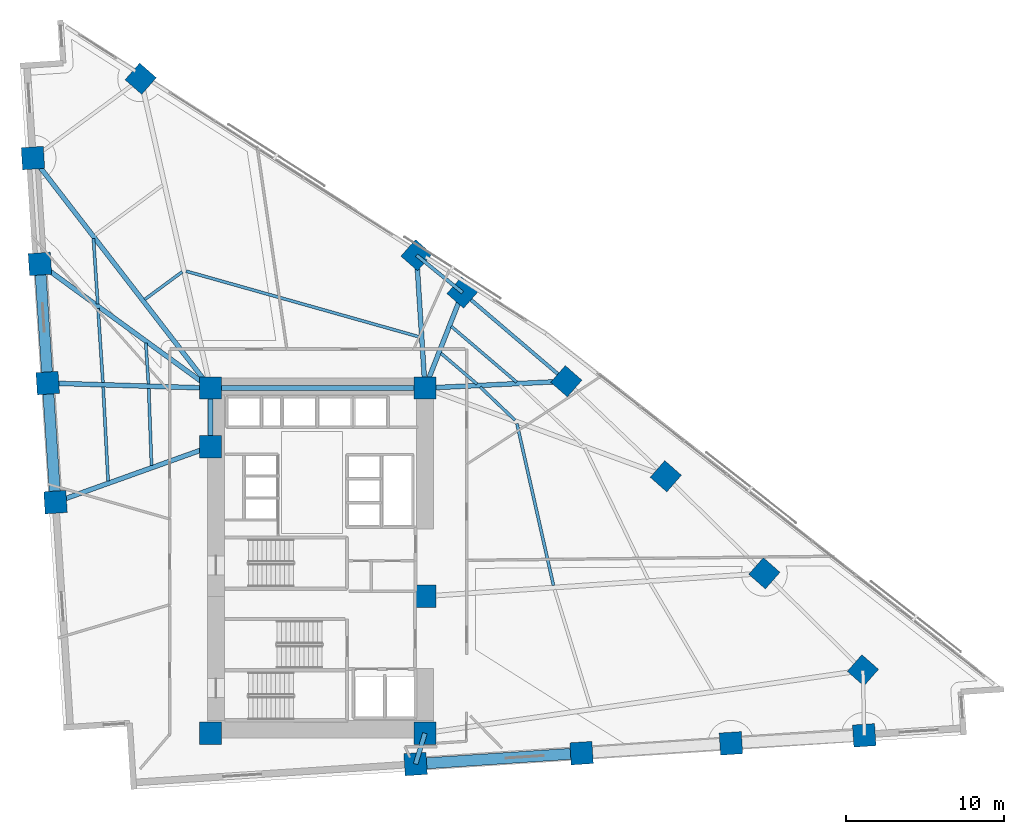
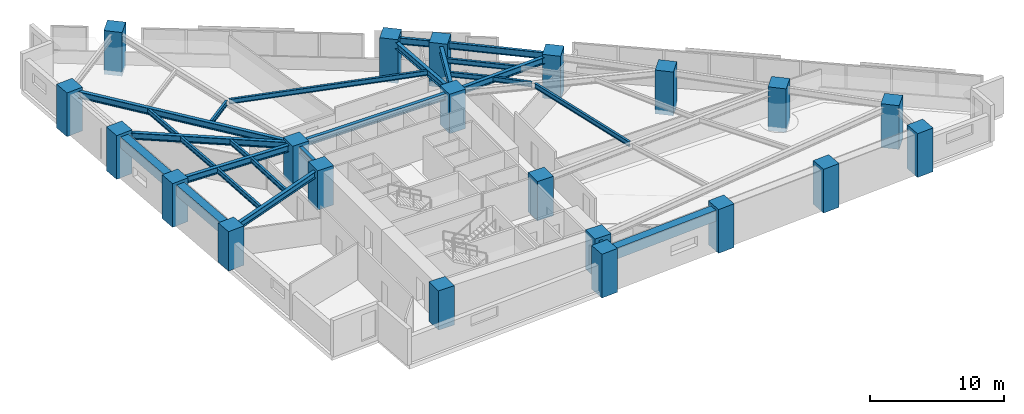
# One storey, part 1 of 17: 26 beams, 21 columns.
"""IFC4 building model written with IfcOpenShell, lengths in metres."""

from ifc_helpers import new_model, si_unit, direction, frame, origin, origin_2d, place, context, subcontext, project, spatial, rectangle, i_section, extrude, material, material_profile, profile_set, type_object, element, save


model = new_model("IFC4")

# Units and contexts
model_context = context("Model", 3, precision=1e-05, world=origin(), true_north=direction((0.0, 1.0)))
body_context = subcontext(model_context, "Body", "Model", "MODEL_VIEW")
ifc_project = project(units=[si_unit("LENGTHUNIT", "METRE"), si_unit("AREAUNIT", "SQUARE_METRE"), si_unit("VOLUMEUNIT", "CUBIC_METRE"), si_unit("PLANEANGLEUNIT", "RADIAN"), si_unit("MASSUNIT", "GRAM", prefix="KILO")], contexts=[model_context])

# Site, building, storey
site_placement = place(None, origin())
site = spatial("IfcSite", under=ifc_project, at=site_placement, CompositionType="ELEMENT")
building_placement = place(site_placement, origin())
building = spatial("IfcBuilding", under=site, at=building_placement, Name="Narakoshi Arena Tower", CompositionType="ELEMENT")
storey_placement = place(building_placement, frame((0.0, 0.0, 63.300048828125)))
storey = spatial("IfcBuildingStorey", under=building, at=storey_placement, Name="L16", CompositionType="ELEMENT", Elevation=63.300048828125)

# Columns
ifc_material_1 = material(Name="Concrete C60/75", Category="concrete")
ifc_material_profile_1 = material_profile(ifc_material_1, rectangle(XDim=1.39990234375, YDim=1.39990234375, at=origin_2d()), Name="RC1400x1400")
ifc_profile_set_1 = profile_set([ifc_material_profile_1], Name="Concrete C60/75")
column_type = type_object("IfcColumnType", Name="COL-RC1400", PredefinedType="COLUMN", material=ifc_profile_set_1)
for number, where, z_axis, x_axis, name in (
    (1, (72.0, 34.699951171875, 0.0), (0.0, 0.0, 1.0), (1.0, 0.0, 0.0), "L16 Core Structural Column CC1"),
    (2, (85.550048828125, 34.699951171875, 0.0), (0.0, 0.0, 1.0), (1.0, 0.0, 0.0), "L16 Core Structural Column CC2"),
    (3, (85.550048828125, 43.35009765625, 0.0), (0.0, 0.0, 1.0), (1.0, 0.0, 0.0), "L16 Core Structural Column CC3"),
    (4, (72.0, 52.800048828125, 0.0), (0.0, 0.0, 1.0), (1.0, 0.0, 0.0), "L16 Core Structural Column CC4"),
    (5, (72.0, 56.5, 0.0), (0.0, 0.0, 1.0), (1.0, 0.0, 0.0), "L16 Core Structural Column CC5"),
    (6, (85.550048828125, 56.5, 0.0), (0.0, 0.0, 1.0), (1.0, 0.0, 0.0), "L16 Core Structural Column CC6"),
):
    element("IfcColumn", number, at=place(storey_placement, frame(where, z_axis=z_axis, x_axis=x_axis)), inside=storey, type_object=column_type, Name=name, PredefinedType="COLUMN", context=body_context, shape_type="SweptSolid", body=[
        extrude(rectangle(XDim=1.39990234375, YDim=1.39990234375, at=origin_2d()), origin(), (0.0, 0.0, 1.0), 3.599853515625),
    ])
for number, where, z_axis, x_axis, name in (
    (7, (84.95703125, 32.7509765625, -0.400146484375), (0.0, 0.0, 1.0), (0.997858923239, 0.06540312923, 0.0), "L16 Tower Perimeter Column TC01"),
    (8, (95.44189453125, 33.43798828125, -0.400146484375), (0.0, 0.0, 1.0), (0.997858923239, 0.06540312923, 0.0), "L16 Tower Perimeter Column TC02"),
    (9, (104.8779296875, 34.056640625, -0.400146484375), (0.0, 0.0, 1.0), (0.997858923239, 0.06540312923, 0.0), "L16 Tower Perimeter Column TC03"),
    (10, (113.299560546875, 34.5634765625, -0.400146484375), (0.0, 0.0, 1.0), (0.997858923239, 0.06540312923, 0.0), "L16 Tower Perimeter Column TC04"),
    (11, (113.21630859375, 38.669189453125, -0.400146484375), (0.0, 0.0, 1.0), (0.6593458151, 0.751839807479, 0.0), "L16 Tower Perimeter Column TC05"),
    (12, (106.989990234375, 44.800537109375, -0.400146484375), (0.0, 0.0, 1.0), (0.6593458151, 0.751839807479, 0.0), "L16 Tower Perimeter Column TC06"),
    (13, (100.76318359375, 50.931640625, -0.400146484375), (0.0, 0.0, 1.0), (0.6593458151, 0.751839807479, 0.0), "L16 Tower Perimeter Column TC07"),
    (14, (94.47900390625, 56.934814453125, -0.400146484375), (0.0, 0.0, 1.0), (0.6593458151, 0.751839807479, 0.0), "L16 Tower Perimeter Column TC08"),
    (15, (87.922607421875, 62.534423828125, -0.400146484375), (0.0, 0.0, 1.0), (0.6593458151, 0.751839807479, 0.0), "L16 Tower Perimeter Column TC09"),
    (16, (85.0146484375, 64.89794921875, -0.400146484375), (0.0, 0.0, 1.0), (0.6593458151, 0.751839807479, 0.0), "L16 Tower Perimeter Column TC10"),
    (17, (67.58984375, 76.04345703125, -0.400146484375), (0.0, 0.0, 1.0), (0.6593458151, 0.751839807479, 0.0), "L16 Tower Perimeter Column TC11"),
    (18, (60.785400390625, 71.031005859375, -0.400146484375), (0.0, 0.0, 1.0), (-0.06540312923, 0.997858923239, 0.0), "L16 Tower Perimeter Column TC13"),
    (19, (61.223876953125, 64.343017578125, -0.400146484375), (0.0, 0.0, 1.0), (-0.06540312923, 0.997858923239, 0.0), "L16 Tower Perimeter Column TC14"),
    (20, (61.716796875, 56.819091796875, -0.400146484375), (0.0, 0.0, 1.0), (-0.06540312923, 0.997858923239, 0.0), "L16 Tower Perimeter Column TC15"),
):
    element("IfcColumn", number, at=place(storey_placement, frame(where, z_axis=z_axis, x_axis=x_axis)), inside=storey, type_object=column_type, Name=name, PredefinedType="COLUMN", context=body_context, shape_type="SweptSolid", body=[
        extrude(rectangle(XDim=1.39990234375, YDim=1.39990234375, at=origin_2d()), origin(), (0.0, 0.0, 1.0), 4.0),
    ])
column_placement = place(storey_placement, frame((62.210205078125, 49.294921875, 0.0), z_axis=(0.0, 0.0, 1.0), x_axis=(-0.06540312923, 0.997858923239, 0.0)))
element("IfcColumn", 21, at=column_placement, inside=storey, type_object=column_type, Name="L16 Tower Perimeter Column TC16", PredefinedType="COLUMN", context=body_context, shape_type="SweptSolid", body=[
    extrude(rectangle(XDim=1.39990234375, YDim=1.39990234375, at=origin_2d()), origin(), (0.0, 0.0, 1.0), 3.599853515625),
])

# Beams
ifc_material_profile_2 = material_profile(ifc_material_1, rectangle(XDim=0.699951171875, YDim=1.0, at=origin_2d()), Name="RCB700x1000")
ifc_profile_set_2 = profile_set([ifc_material_profile_2], Name="Concrete C60/75")
beam_type_1 = type_object("IfcBeamType", Name="BM-CPL-1000", PredefinedType="BEAM", material=ifc_profile_set_2)
beam_1_placement = place(storey_placement, frame((84.95703125, 32.7509765625, 2.83984375), z_axis=(0.997860180992, 0.065383936788, 0.0), x_axis=(-0.065383936788, 0.997860180992, 0.0)))
element("IfcBeam", 22, at=beam_1_placement, inside=storey, type_object=beam_type_1, Name="L16 Perimeter Edge Girder 01", PredefinedType="BEAM", context=body_context, shape_type="SweptSolid", body=[
    extrude(rectangle(XDim=0.699951171875, YDim=1.0, at=origin_2d()), origin(), (0.0, 0.0, 1.0), 10.50732421875),
])
beam_2_placement = place(storey_placement, frame((61.223876953125, 64.343017578125, 2.83984375), z_axis=(0.065373518191, -0.997860863607, 0.0), x_axis=(0.997860863607, 0.065373518191, 0.0)))
element("IfcBeam", 23, at=beam_2_placement, inside=storey, type_object=beam_type_1, Name="L16 Perimeter Edge Girder 13", PredefinedType="BEAM", context=body_context, shape_type="SweptSolid", body=[
    extrude(rectangle(XDim=0.699951171875, YDim=1.0, at=origin_2d()), origin(), (0.0, 0.0, 1.0), 7.5400390625),
])
beam_3_placement = place(storey_placement, frame((61.716796875, 56.819091796875, 2.83984375), z_axis=(0.06543588513, -0.997856775764, 0.0), x_axis=(0.997856775764, 0.06543588513, 0.0)))
element("IfcBeam", 24, at=beam_3_placement, inside=storey, type_object=beam_type_1, Name="L16 Perimeter Edge Girder 14", PredefinedType="BEAM", context=body_context, shape_type="SweptSolid", body=[
    extrude(rectangle(XDim=0.699951171875, YDim=1.0, at=origin_2d()), origin(), (0.0, 0.0, 1.0), 7.540283203125),
])
ifc_material_2 = material(Name="Structural steel S355J2", Category="steel")
ifc_material_profile_3 = material_profile(ifc_material_2, i_section(OverallWidth=0.219970703125, OverallDepth=0.60009765625, WebThickness=0.011962890625, FlangeThickness=0.01904296875, FilletRadius=0.02392578125, at=origin_2d()), Name="IPE600")
ifc_profile_set_3 = profile_set([ifc_material_profile_3], Name="Structural steel S355J2")
beam_type_2 = type_object("IfcBeamType", Name="BM-EDGE-600", PredefinedType="BEAM", material=ifc_profile_set_3)
beam_4_placement = place(storey_placement, frame((94.47900390625, 56.934814453125, 3.0400390625), z_axis=(-0.760410675305, 0.649442533934, 0.0), x_axis=(-0.649442533934, -0.760410675305, 0.0)))
element("IfcBeam", 25, at=beam_4_placement, inside=storey, type_object=beam_type_2, Name="L16 Perimeter Edge Girder 08", PredefinedType="BEAM", context=body_context, shape_type="SweptSolid", body=[
    extrude(i_section(OverallWidth=0.219970703125, OverallDepth=0.60009765625, WebThickness=0.011962890625, FlangeThickness=0.01904296875, FilletRadius=0.02392578125, at=origin_2d()), origin(), (0.0, 0.0, 1.0), 8.6220703125),
])
beam_5_placement = place(storey_placement, frame((87.922607421875, 62.534423828125, 3.0400390625), z_axis=(-0.776008368668, 0.630722610786, 0.0), x_axis=(-0.630722610786, -0.776008368668, 0.0)))
element("IfcBeam", 26, at=beam_5_placement, inside=storey, type_object=beam_type_2, Name="L16 Perimeter Edge Girder 09", PredefinedType="BEAM", context=body_context, shape_type="SweptSolid", body=[
    extrude(i_section(OverallWidth=0.219970703125, OverallDepth=0.60009765625, WebThickness=0.011962890625, FlangeThickness=0.01904296875, FilletRadius=0.02392578125, at=origin_2d()), origin(), (0.0, 0.0, 1.0), 3.747314453125),
])
ifc_material_profile_4 = material_profile(ifc_material_2, i_section(OverallWidth=0.300048828125, OverallDepth=0.60009765625, WebThickness=0.015380859375, FlangeThickness=0.030029296875, FilletRadius=0.027099609375, at=origin_2d()), Name="HE600B")
ifc_profile_set_4 = profile_set([ifc_material_profile_4], Name="Structural steel S355J2")
beam_type_3 = type_object("IfcBeamType", Name="BM-PRI-600", PredefinedType="BEAM", material=ifc_profile_set_4)
beam_6_placement = place(storey_placement, frame((85.550048828125, 34.699951171875, 3.0400390625), z_axis=(-0.291094852197, -0.956694197236, 0.0), x_axis=(0.956694197236, -0.291094852197, 0.0)))
element("IfcBeam", 27, at=beam_6_placement, inside=storey, type_object=beam_type_3, Name="L16 Radial Primary Floor Girder 01", PredefinedType="BEAM", context=body_context, shape_type="SweptSolid", body=[
    extrude(i_section(OverallWidth=0.300048828125, OverallDepth=0.60009765625, WebThickness=0.015380859375, FlangeThickness=0.030029296875, FilletRadius=0.027099609375, at=origin_2d()), origin(), (0.0, 0.0, 1.0), 2.037109375),
])
beam_7_placement = place(storey_placement, frame((85.550048828125, 56.5, 3.0400390625), z_axis=(0.998816399631, 0.048639488359, 0.0), x_axis=(-0.048639488359, 0.998816399631, 0.0)))
element("IfcBeam", 28, at=beam_7_placement, inside=storey, type_object=beam_type_3, Name="L16 Radial Primary Floor Girder 08", PredefinedType="BEAM", context=body_context, shape_type="SweptSolid", body=[
    extrude(i_section(OverallWidth=0.300048828125, OverallDepth=0.60009765625, WebThickness=0.015380859375, FlangeThickness=0.030029296875, FilletRadius=0.027099609375, at=origin_2d()), origin(), (0.0, 0.0, 1.0), 8.939453125),
])
beam_8_placement = place(storey_placement, frame((85.550048828125, 56.5, 3.0400390625), z_axis=(0.365905149474, 0.930652148543, 0.0), x_axis=(-0.930652148543, 0.365905149474, 0.0)))
element("IfcBeam", 29, at=beam_8_placement, inside=storey, type_object=beam_type_3, Name="L16 Radial Primary Floor Girder 09", PredefinedType="BEAM", context=body_context, shape_type="SweptSolid", body=[
    extrude(i_section(OverallWidth=0.300048828125, OverallDepth=0.60009765625, WebThickness=0.015380859375, FlangeThickness=0.030029296875, FilletRadius=0.027099609375, at=origin_2d()), origin(), (0.0, 0.0, 1.0), 6.484130859375),
])
beam_9_placement = place(storey_placement, frame((85.550048828125, 56.5, 3.0400390625), z_axis=(-0.063624535653, 0.997973906704, 0.0), x_axis=(-0.997973906704, -0.063624535653, 0.0)))
element("IfcBeam", 30, at=beam_9_placement, inside=storey, type_object=beam_type_3, Name="L16 Radial Primary Floor Girder 10", PredefinedType="BEAM", context=body_context, shape_type="SweptSolid", body=[
    extrude(i_section(OverallWidth=0.300048828125, OverallDepth=0.60009765625, WebThickness=0.015380859375, FlangeThickness=0.030029296875, FilletRadius=0.027099609375, at=origin_2d()), origin(), (0.0, 0.0, 1.0), 8.4150390625),
])
beam_10_placement = place(storey_placement, frame((72.0, 56.5, 3.0400390625), z_axis=(-0.610973069948, 0.791651380216, 0.0), x_axis=(-0.791651380216, -0.610973069948, 0.0)))
element("IfcBeam", 31, at=beam_10_placement, inside=storey, type_object=beam_type_3, Name="L16 Radial Primary Floor Girder 12", PredefinedType="BEAM", context=body_context, shape_type="SweptSolid", body=[
    extrude(i_section(OverallWidth=0.300048828125, OverallDepth=0.60009765625, WebThickness=0.015380859375, FlangeThickness=0.030029296875, FilletRadius=0.027099609375, at=origin_2d()), origin(), (0.0, 0.0, 1.0), 18.355224609375),
])
beam_11_placement = place(storey_placement, frame((72.0, 56.5, 3.0400390625), z_axis=(-0.808527706159, 0.588458110976, 0.0), x_axis=(-0.588458110976, -0.808527706159, 0.0)))
element("IfcBeam", 32, at=beam_11_placement, inside=storey, type_object=beam_type_3, Name="L16 Radial Primary Floor Girder 13", PredefinedType="BEAM", context=body_context, shape_type="SweptSolid", body=[
    extrude(i_section(OverallWidth=0.300048828125, OverallDepth=0.60009765625, WebThickness=0.015380859375, FlangeThickness=0.030029296875, FilletRadius=0.027099609375, at=origin_2d()), origin(), (0.0, 0.0, 1.0), 13.328125),
])
beam_12_placement = place(storey_placement, frame((72.0, 56.5, 3.0400390625), z_axis=(-0.99951890487, 0.031015460795, 0.0), x_axis=(-0.031015460795, -0.99951890487, 0.0)))
element("IfcBeam", 33, at=beam_12_placement, inside=storey, type_object=beam_type_3, Name="L16 Radial Primary Floor Girder 14", PredefinedType="BEAM", context=body_context, shape_type="SweptSolid", body=[
    extrude(i_section(OverallWidth=0.300048828125, OverallDepth=0.60009765625, WebThickness=0.015380859375, FlangeThickness=0.030029296875, FilletRadius=0.027099609375, at=origin_2d()), origin(), (0.0, 0.0, 1.0), 10.2880859375),
])
beam_13_placement = place(storey_placement, frame((72.0, 52.800048828125, 3.0400390625), z_axis=(-0.941474424124, -0.33708442373, 0.0), x_axis=(0.33708442373, -0.941474424124, 0.0)))
element("IfcBeam", 34, at=beam_13_placement, inside=storey, type_object=beam_type_3, Name="L16 Radial Primary Floor Girder 15", PredefinedType="BEAM", context=body_context, shape_type="SweptSolid", body=[
    extrude(i_section(OverallWidth=0.300048828125, OverallDepth=0.60009765625, WebThickness=0.015380859375, FlangeThickness=0.030029296875, FilletRadius=0.027099609375, at=origin_2d()), origin(), (0.0, 0.0, 1.0), 10.3984375),
])
beam_14_placement = place(storey_placement, frame((72.0, 52.800048828125, 3.0400390625), z_axis=(0.0, 1.0, 0.0), x_axis=(-1.0, 0.0, 0.0)))
element("IfcBeam", 35, at=beam_14_placement, inside=storey, type_object=beam_type_3, Name="L16 Core Perimeter Frame Beam CC4-CC5", PredefinedType="BEAM", context=body_context, shape_type="SweptSolid", body=[
    extrude(i_section(OverallWidth=0.300048828125, OverallDepth=0.60009765625, WebThickness=0.015380859375, FlangeThickness=0.030029296875, FilletRadius=0.027099609375, at=origin_2d()), origin(), (0.0, 0.0, 1.0), 3.699951171875),
])
beam_15_placement = place(storey_placement, frame((72.0, 56.5, 3.0400390625), z_axis=(1.0, 0.0, 0.0), x_axis=(0.0, 1.0, 0.0)))
element("IfcBeam", 36, at=beam_15_placement, inside=storey, type_object=beam_type_3, Name="L16 Core Perimeter Frame Beam CC5-CC6", PredefinedType="BEAM", context=body_context, shape_type="SweptSolid", body=[
    extrude(i_section(OverallWidth=0.300048828125, OverallDepth=0.60009765625, WebThickness=0.015380859375, FlangeThickness=0.030029296875, FilletRadius=0.027099609375, at=origin_2d()), origin(), (0.0, 0.0, 1.0), 13.550048828125),
])
ifc_material_profile_5 = material_profile(ifc_material_2, i_section(OverallWidth=0.18994140625, OverallDepth=0.449951171875, WebThickness=0.009521484375, FlangeThickness=0.0146484375, FilletRadius=0.02099609375, at=origin_2d()), Name="IPE450")
ifc_profile_set_5 = profile_set([ifc_material_profile_5], Name="Structural steel S355J2")
beam_type_4 = type_object("IfcBeamType", Name="BM-SEC-450", PredefinedType="JOIST", material=ifc_profile_set_5)
beam_16_placement = place(storey_placement, frame((93.66748046875, 44.032958984375, 3.114990234375), z_axis=(-0.220193637199, 0.975456181557, 0.0), x_axis=(-0.975456181557, -0.220193637199, 0.0)))
element("IfcBeam", 37, at=beam_16_placement, inside=storey, type_object=beam_type_4, Name="L16 Composite Secondary Floor Joist 03", PredefinedType="JOIST", context=body_context, shape_type="SweptSolid", body=[
    extrude(i_section(OverallWidth=0.18994140625, OverallDepth=0.449951171875, WebThickness=0.009521484375, FlangeThickness=0.0146484375, FilletRadius=0.02099609375, at=origin_2d()), origin(), (0.0, 0.0, 1.0), 10.4765625),
])
beam_17_placement = place(storey_placement, frame((91.2333984375, 54.477294921875, 3.114990234375), z_axis=(-0.723064858901, 0.690780145793, 0.0), x_axis=(-0.690780145793, -0.723064858901, 0.0)))
element("IfcBeam", 38, at=beam_17_placement, inside=storey, type_object=beam_type_4, Name="L16 Composite Secondary Floor Joist 05", PredefinedType="JOIST", context=body_context, shape_type="SweptSolid", body=[
    extrude(i_section(OverallWidth=0.18994140625, OverallDepth=0.449951171875, WebThickness=0.009521484375, FlangeThickness=0.0146484375, FilletRadius=0.02099609375, at=origin_2d()), origin(), (0.0, 0.0, 1.0), 3.032470703125),
])
beam_18_placement = place(storey_placement, frame((88.84033203125, 56.7529296875, 3.114990234375), z_axis=(-0.760430490225, 0.649419332586, 0.0), x_axis=(-0.649419332586, -0.760430490225, 0.0)))
element("IfcBeam", 39, at=beam_18_placement, inside=storey, type_object=beam_type_4, Name="L16 Composite Secondary Floor Joist 07", PredefinedType="JOIST", context=body_context, shape_type="SweptSolid", body=[
    extrude(i_section(OverallWidth=0.18994140625, OverallDepth=0.449951171875, WebThickness=0.009521484375, FlangeThickness=0.0146484375, FilletRadius=0.02099609375, at=origin_2d()), origin(), (0.0, 0.0, 1.0), 3.00634765625),
])
beam_19_placement = place(storey_placement, frame((91.340576171875, 56.87451171875, 3.114990234375), z_axis=(-0.760412600049, 0.649440280308, 0.0), x_axis=(-0.649440280308, -0.760412600049, 0.0)))
element("IfcBeam", 40, at=beam_19_placement, inside=storey, type_object=beam_type_4, Name="L16 Composite Secondary Floor Joist 08", PredefinedType="JOIST", context=body_context, shape_type="SweptSolid", body=[
    extrude(i_section(OverallWidth=0.18994140625, OverallDepth=0.449951171875, WebThickness=0.009521484375, FlangeThickness=0.0146484375, FilletRadius=0.02099609375, at=origin_2d()), origin(), (0.0, 0.0, 1.0), 5.4208984375),
])
beam_20_placement = place(storey_placement, frame((85.216796875, 59.727783203125, 3.114990234375), z_axis=(-0.962479100605, 0.271355819725, 0.0), x_axis=(-0.271355819725, -0.962479100605, 0.0)))
element("IfcBeam", 41, at=beam_20_placement, inside=storey, type_object=beam_type_4, Name="L16 Composite Secondary Floor Joist 09", PredefinedType="JOIST", context=body_context, shape_type="SweptSolid", body=[
    extrude(i_section(OverallWidth=0.18994140625, OverallDepth=0.449951171875, WebThickness=0.009521484375, FlangeThickness=0.0146484375, FilletRadius=0.02099609375, at=origin_2d()), origin(), (0.0, 0.0, 1.0), 15.338134765625),
])
beam_21_placement = place(storey_placement, frame((70.215576171875, 63.846435546875, 3.114990234375), z_axis=(-0.805139271894, -0.59308578878, 0.0), x_axis=(0.59308578878, -0.805139271894, 0.0)))
element("IfcBeam", 42, at=beam_21_placement, inside=storey, type_object=beam_type_4, Name="L16 Composite Secondary Floor Joist 10", PredefinedType="JOIST", context=body_context, shape_type="SweptSolid", body=[
    extrude(i_section(OverallWidth=0.18994140625, OverallDepth=0.449951171875, WebThickness=0.009521484375, FlangeThickness=0.0146484375, FilletRadius=0.02099609375, at=origin_2d()), origin(), (0.0, 0.0, 1.0), 2.941650390625),
])
beam_22_placement = place(storey_placement, frame((64.607177734375, 65.955810546875, 3.114990234375), z_axis=(0.065418851064, -0.997857892651, 0.0), x_axis=(0.997857892651, 0.065418851064, 0.0)))
element("IfcBeam", 43, at=beam_22_placement, inside=storey, type_object=beam_type_4, Name="L16 Composite Secondary Floor Joist 12", PredefinedType="JOIST", context=body_context, shape_type="SweptSolid", body=[
    extrude(i_section(OverallWidth=0.18994140625, OverallDepth=0.449951171875, WebThickness=0.009521484375, FlangeThickness=0.0146484375, FilletRadius=0.02099609375, at=origin_2d()), origin(), (0.0, 0.0, 1.0), 4.153564453125),
])
beam_23_placement = place(storey_placement, frame((67.913818359375, 59.345703125, 3.114990234375), z_axis=(0.06537642983, -0.997860672851, 0.0), x_axis=(0.997860672851, 0.06537642983, 0.0)))
element("IfcBeam", 44, at=beam_23_placement, inside=storey, type_object=beam_type_4, Name="L16 Composite Secondary Floor Joist 13", PredefinedType="JOIST", context=body_context, shape_type="SweptSolid", body=[
    extrude(i_section(OverallWidth=0.18994140625, OverallDepth=0.449951171875, WebThickness=0.009521484375, FlangeThickness=0.0146484375, FilletRadius=0.02099609375, at=origin_2d()), origin(), (0.0, 0.0, 1.0), 2.595458984375),
])
beam_24_placement = place(storey_placement, frame((64.896484375, 61.541748046875, 3.114990234375), z_axis=(0.065410381182, -0.997858447894, 0.0), x_axis=(0.997858447894, 0.065410381182, 0.0)))
element("IfcBeam", 45, at=beam_24_placement, inside=storey, type_object=beam_type_4, Name="L16 Composite Secondary Floor Joist 14", PredefinedType="JOIST", context=body_context, shape_type="SweptSolid", body=[
    extrude(i_section(OverallWidth=0.18994140625, OverallDepth=0.449951171875, WebThickness=0.009521484375, FlangeThickness=0.0146484375, FilletRadius=0.02099609375, at=origin_2d()), origin(), (0.0, 0.0, 1.0), 4.70654296875),
])
beam_25_placement = place(storey_placement, frame((68.097412109375, 56.486328125, 3.114990234375), z_axis=(0.036322381291, -0.999340124591, 0.0), x_axis=(0.999340124591, 0.036322381291, 0.0)))
element("IfcBeam", 46, at=beam_25_placement, inside=storey, type_object=beam_type_4, Name="L16 Composite Secondary Floor Joist 15", PredefinedType="JOIST", context=body_context, shape_type="SweptSolid", body=[
    extrude(i_section(OverallWidth=0.18994140625, OverallDepth=0.449951171875, WebThickness=0.009521484375, FlangeThickness=0.0146484375, FilletRadius=0.02099609375, at=origin_2d()), origin(), (0.0, 0.0, 1.0), 4.886474609375),
])
beam_26_placement = place(storey_placement, frame((65.22021484375, 56.57568359375, 3.114990234375), z_axis=(0.052208510838, -0.998636205731, 0.0), x_axis=(0.998636205731, 0.052208510838, 0.0)))
element("IfcBeam", 47, at=beam_26_placement, inside=storey, type_object=beam_type_4, Name="L16 Composite Secondary Floor Joist 16", PredefinedType="JOIST", context=body_context, shape_type="SweptSolid", body=[
    extrude(i_section(OverallWidth=0.18994140625, OverallDepth=0.449951171875, WebThickness=0.009521484375, FlangeThickness=0.0146484375, FilletRadius=0.02099609375, at=origin_2d()), origin(), (0.0, 0.0, 1.0), 5.962158203125),
])

save(model, "model.ifc")
